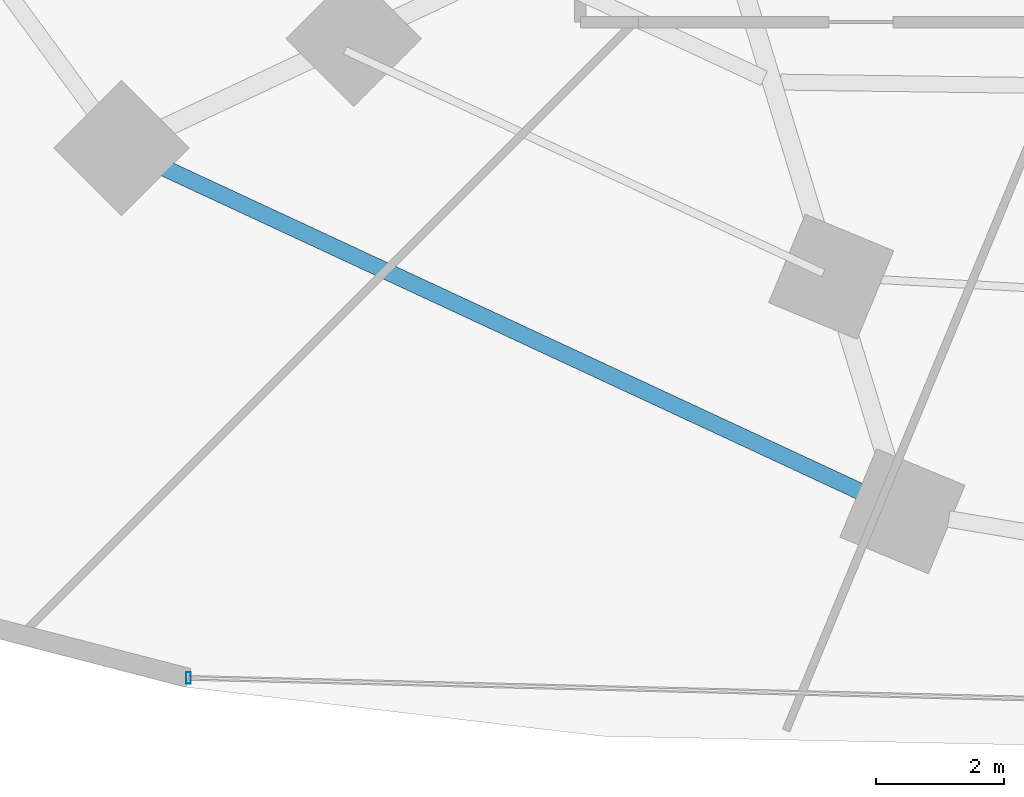
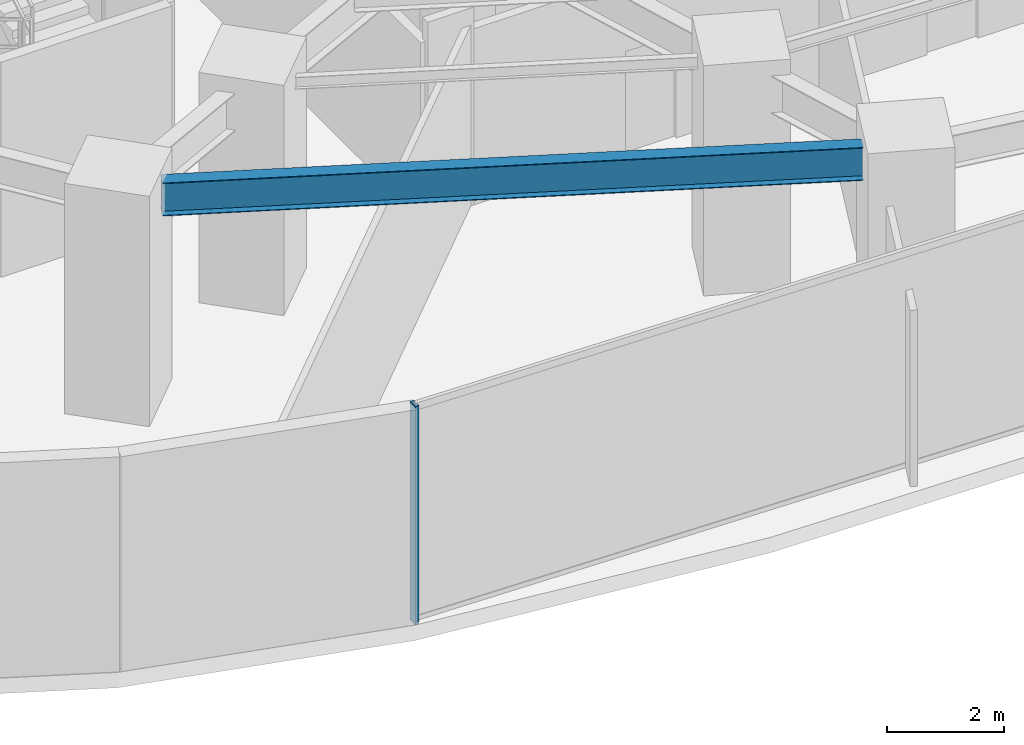
# One storey, part 4 of 27: 1 beam, 1 member, 1 element without a shape of its own.
"""IFC4 building model written with IfcOpenShell, lengths in metres."""

from ifc_helpers import new_model, si_unit, direction, frame, origin, origin_2d, place, context, subcontext, project, spatial, hollow_rectangle, i_section, extrude, material, material_profile, profile_set, type_object, element, aggregate, save


model = new_model("IFC4")

# Units and contexts
model_context = context("Model", 3, precision=1e-05, world=origin(), true_north=direction((0.0, 1.0)))
body_context = subcontext(model_context, "Body", "Model", "MODEL_VIEW")
ifc_project = project(units=[si_unit("LENGTHUNIT", "METRE"), si_unit("AREAUNIT", "SQUARE_METRE"), si_unit("VOLUMEUNIT", "CUBIC_METRE"), si_unit("PLANEANGLEUNIT", "RADIAN"), si_unit("MASSUNIT", "GRAM", prefix="KILO")], contexts=[model_context])

# Site, building, storey
site_placement = place(None, origin())
site = spatial("IfcSite", under=ifc_project, at=site_placement, CompositionType="ELEMENT")
building_placement = place(site_placement, origin())
building = spatial("IfcBuilding", under=site, at=building_placement, Name="Vorneva Point Tower", CompositionType="ELEMENT")
storey_placement = place(building_placement, frame((0.0, 0.0, 4.800048828125)))
storey = spatial("IfcBuildingStorey", under=building, at=storey_placement, Name="L01", CompositionType="ELEMENT", Elevation=4.800048828125)

# Beam
ifc_material_1 = material(Name="Steel S355", Category="steel")
ifc_material_profile_1 = material_profile(ifc_material_1, i_section(OverallWidth=0.260009765625, OverallDepth=0.69091796875, WebThickness=0.011962890625, FlangeThickness=0.015380859375, at=origin_2d()), Name="70B1")
ifc_profile_set_1 = profile_set([ifc_material_profile_1], Name="Steel S355")
beam_type = type_object("IfcBeamType", Name="BM-SPN-70B1", PredefinedType="SPANDREL", material=ifc_profile_set_1)
beam_placement = place(storey_placement, frame((18.727783203125, 11.814208984375, 4.134521484375), z_axis=(0.906780872519, -0.421602240547, 0.0), x_axis=(0.421602240547, 0.906780872519, 0.0)))
element("IfcBeam", 1, at=beam_placement, inside=storey, type_object=beam_type, Name="L01 Perimeter Spandrel Ring Beam 11", PredefinedType="SPANDREL", context=body_context, shape_type="SweptSolid", body=[
    extrude(i_section(OverallWidth=0.260009765625, OverallDepth=0.69091796875, WebThickness=0.011962890625, FlangeThickness=0.015380859375, at=origin_2d()), origin(), (0.0, 0.0, 1.0), 12.0234375),
])

# Curtain wall, member
ifc_material_2 = material(Name="Pale anodised aluminium", Category="aluminium")
curtain_wall_type = type_object("IfcCurtainWallType", Name="CW-POD-SYS", PredefinedType="NOTDEFINED", material=ifc_material_2)
curtain_wall_placement = place(storey_placement, origin())
curtain_wall = element("IfcCurtainWall", 2, at=curtain_wall_placement, inside=storey, type_object=curtain_wall_type, Name="L01 Unitised Curtain Wall CW-L01-R04", PredefinedType="NOTDEFINED")
ifc_material_profile_2 = material_profile(ifc_material_2, hollow_rectangle(XDim=0.074951171875, YDim=0.179931640625, WallThickness=0.00390625, at=origin_2d()), Name="AL-MUL 180x75x4")
ifc_profile_set_2 = profile_set([ifc_material_profile_2], Name="Pale anodised aluminium")
member_type = type_object("IfcMemberType", Name="CW-MUL-180", PredefinedType="MULLION", material=ifc_profile_set_2)
member_placement = place(storey_placement, frame((19.1103515625, 3.82470703125, -0.0400390625), z_axis=(0.0, 0.0, 1.0), x_axis=(1.0, 0.0, 0.0)))
member = element("IfcMember", 3, at=member_placement, type_object=member_type, Name="CW-L01-R04 Mullion 01", PredefinedType="MULLION", context=body_context, shape_type="SweptSolid", body=[
    extrude(hollow_rectangle(XDim=0.074951171875, YDim=0.179931640625, WallThickness=0.00390625, at=origin_2d()), origin(), (0.0, 0.0, 1.0), 4.550048828125),
])
aggregate(curtain_wall, [member])

save(model, "model.ifc")
